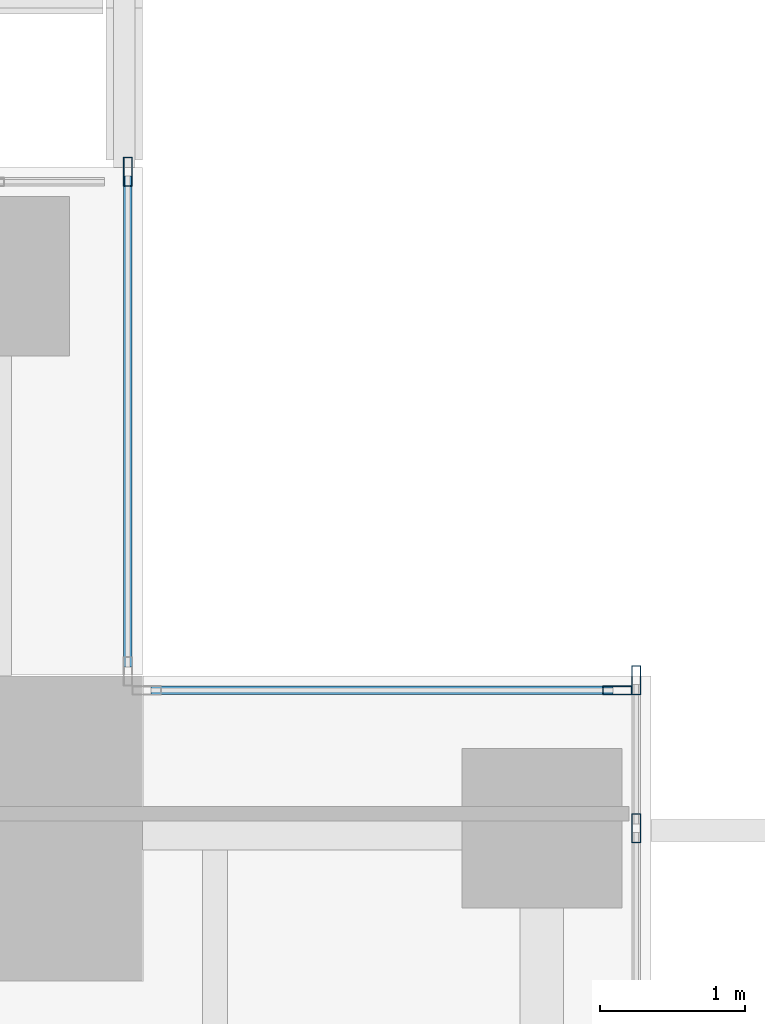
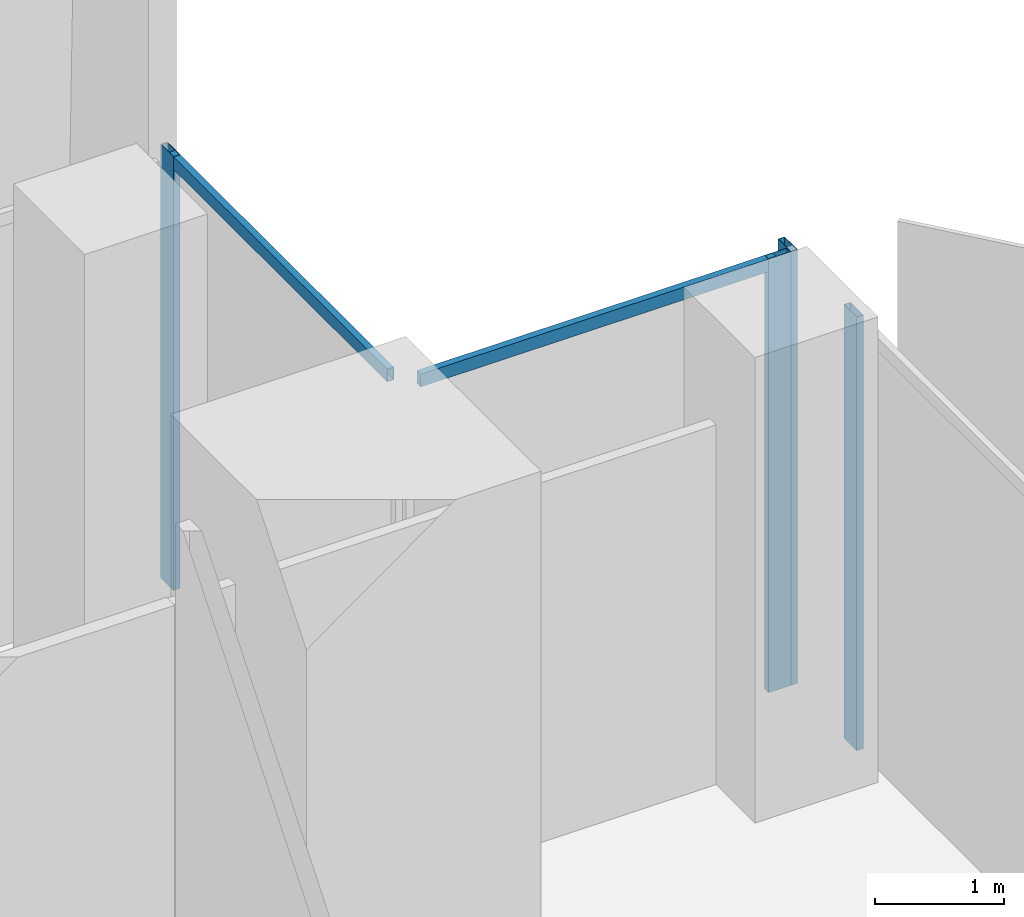
# One storey, part 21 of 34: 6 members, 3 elements without a shape of their own.
"""IFC4 building model written with IfcOpenShell, lengths in metres."""

import ifcopenshell
import ifcopenshell.guid

model = None  # the IFC model being written
_history = None  # IfcOwnerHistory: only IFC2X3 demands one
_inside = {}  # id of a spatial element -> (the spatial element, [elements in it])
_under = {}  # id of a project, library or spatial element -> (it, [spatial elements below it])
_declared = {}  # id of a project -> (the project, [libraries it declares])
_typed = {}  # id of a type object -> (the type object, [elements of that type])
_made_of = {}  # id of a material, layer set ... -> (it, [elements and type objects made of it])


def new_model(schema):
    """Start an empty IFC model of exactly this schema.

    Asked for "IFC4X3", IfcOpenShell would pick the latest addendum, in which some entities
    have other attributes; the version numbers below select the first issue.
    IFC2X3 requires an IfcOwnerHistory on every rooted entity: one is made here for all.
    """
    global model, _history
    if schema == "IFC4X3":
        model = ifcopenshell.file(schema_version=(4, 3, 0, 0))
    else:
        model = ifcopenshell.file(schema=schema)
    _inside.clear()
    _under.clear()
    _declared.clear()
    _typed.clear()
    _made_of.clear()
    _history = None
    if model.schema == "IFC2X3":
        org = make("IfcOrganization", Name="unknown")
        user = make(
            "IfcPersonAndOrganization",
            ThePerson=make("IfcPerson", FamilyName="unknown"),
            TheOrganization=org,
        )
        app = make(
            "IfcApplication",
            ApplicationDeveloper=org,
            Version="unknown",
            ApplicationFullName="unknown",
            ApplicationIdentifier="unknown",
        )
        _history = make(
            "IfcOwnerHistory",
            OwningUser=user,
            OwningApplication=app,
            ChangeAction="ADDED",
            CreationDate=0,
        )
    return model


def make(cls, **values):
    """One entity of the class cls with the attributes given. An attribute that is None is left unset."""
    return model.create_entity(
        cls, **{name: value for name, value in values.items() if value is not None}
    )


def rooted(cls, **values):
    """An entity with a GlobalId (a new one), such as an element, a storey or a relation."""
    return make(cls, GlobalId=ifcopenshell.guid.new(), OwnerHistory=_history, **values)


def si_unit(unit_type, name, prefix=None):
    """IfcSIUnit, for example si_unit("LENGTHUNIT", "METRE", prefix="MILLI")."""
    return make("IfcSIUnit", UnitType=unit_type, Prefix=prefix, Name=name)


def assignment(units):
    """IfcUnitAssignment: the units of a project."""
    return None if units is None else make("IfcUnitAssignment", Units=units)


def point(xyz):
    """IfcCartesianPoint."""
    return None if xyz is None else make("IfcCartesianPoint", Coordinates=xyz)


def direction(xyz):
    """IfcDirection."""
    return None if xyz is None else make("IfcDirection", DirectionRatios=xyz)


def frame(location, z_axis=None, x_axis=None):
    """IfcAxis2Placement3D, a coordinate frame: its origin and axes. An axis left out is left unset."""
    return make(
        "IfcAxis2Placement3D",
        Location=point(location),
        Axis=direction(z_axis),
        RefDirection=direction(x_axis),
    )


def frame_2d(location, x_axis=None):
    """IfcAxis2Placement2D, a coordinate frame in the plane: its origin and x axis."""
    return make(
        "IfcAxis2Placement2D", Location=point(location), RefDirection=direction(x_axis)
    )


def origin():
    """The frame at (0, 0, 0) with its axes left unset."""
    return frame((0.0, 0.0, 0.0))


def origin_2d():
    """The frame at (0, 0) in the plane with its x axis left unset."""
    return frame_2d((0.0, 0.0))


def place(relative_to, where):
    """IfcLocalPlacement: puts the frame where relative to a parent placement (None: the world)."""
    return make(
        "IfcLocalPlacement", PlacementRelTo=relative_to, RelativePlacement=where
    )


def context(
    kind, dimensions, precision=None, world=None, true_north=None, identifier=None
):
    """IfcGeometricRepresentationContext, for example the 3D "Model" context."""
    return make(
        "IfcGeometricRepresentationContext",
        ContextIdentifier=identifier,
        ContextType=kind,
        CoordinateSpaceDimension=dimensions,
        Precision=precision,
        WorldCoordinateSystem=world,
        TrueNorth=true_north,
    )


def subcontext(parent, identifier, kind, view, scale=None):
    """IfcGeometricRepresentationSubContext, for example "Body" below "Model"."""
    return make(
        "IfcGeometricRepresentationSubContext",
        ContextIdentifier=identifier,
        ContextType=kind,
        ParentContext=parent,
        TargetScale=scale,
        TargetView=view,
    )


def project(units=None, contexts=None):
    """IfcProject with its units and contexts."""
    return rooted(
        "IfcProject",
        Name="project",
        RepresentationContexts=contexts,
        UnitsInContext=assignment(units),
    )


def spatial(cls, under=None, at=None, **own):
    """A site, building, storey or space (cls), placed at a placement, below another one or the project."""
    s = rooted(cls, ObjectPlacement=at, **own)
    if under is not None:
        _under.setdefault(under.id(), (under, []))[1].append(s)
    return s


def profile(cls, at=None, kind="AREA", **sizes):
    """A parametric profile (cls). Its sizes go by their IFC names, for example OverallWidth=200.0."""
    return make(cls, ProfileType=kind, Position=at, **sizes)


def hollow_rectangle(**sizes):
    """IfcRectangleHollowProfileDef."""
    return profile("IfcRectangleHollowProfileDef", **sizes)


def extrude(swept, where, along, depth):
    """IfcExtrudedAreaSolid: the profile swept, set in the frame where, extruded along a direction by depth."""
    return make(
        "IfcExtrudedAreaSolid",
        SweptArea=swept,
        Position=where,
        ExtrudedDirection=direction(along),
        Depth=depth,
    )


def shape(context_of_items, identifier, shape_type, items):
    """IfcShapeRepresentation: the items that make up one representation, for example the "Body"."""
    return make(
        "IfcShapeRepresentation",
        ContextOfItems=context_of_items,
        RepresentationIdentifier=identifier,
        RepresentationType=shape_type,
        Items=items,
    )


def source(mapping_origin, context_of_items, identifier, shape_type, items):
    """IfcRepresentationMap: a shape defined once, which mapped items show again and again."""
    return make(
        "IfcRepresentationMap",
        MappingOrigin=mapping_origin,
        MappedRepresentation=shape(context_of_items, identifier, shape_type, items),
    )


def transform(
    local_origin,
    x_axis=None,
    y_axis=None,
    z_axis=None,
    scale=None,
    scale2=None,
    scale3=None,
    uniform=True,
):
    """IfcCartesianTransformationOperator3D, or its non-uniform kind. x_axis, y_axis, z_axis: its Axis1, 2, 3."""
    if uniform:
        return make(
            "IfcCartesianTransformationOperator3D",
            Axis1=direction(x_axis),
            Axis2=direction(y_axis),
            LocalOrigin=point(local_origin),
            Scale=scale,
            Axis3=direction(z_axis),
        )
    return make(
        "IfcCartesianTransformationOperator3DnonUniform",
        Axis1=direction(x_axis),
        Axis2=direction(y_axis),
        LocalOrigin=point(local_origin),
        Scale=scale,
        Axis3=direction(z_axis),
        Scale2=scale2,
        Scale3=scale3,
    )


def mapped(mapping_source, mapping_target):
    """IfcMappedItem: shows the shape of a source again, moved by a transform."""
    return make(
        "IfcMappedItem", MappingSource=mapping_source, MappingTarget=mapping_target
    )


def material(Name=None, Category=None):
    """IfcMaterial."""
    return make("IfcMaterial", Name=Name, Category=Category)


def material_profile(
    of_material, cross_section, Name=None, Category=None, Priority=None
):
    """IfcMaterialProfile: a cross section and its material."""
    return make(
        "IfcMaterialProfile",
        Name=Name,
        Material=of_material,
        Profile=cross_section,
        Priority=Priority,
        Category=Category,
    )


def profile_set(profiles, Name=None, composite=None):
    """IfcMaterialProfileSet."""
    return make(
        "IfcMaterialProfileSet",
        Name=Name,
        MaterialProfiles=profiles,
        CompositeProfile=composite,
    )


def made_of(thing, what):
    """Note that an element or type object is made of a material, layer set ...; save() writes the relation."""
    if what is not None:
        _made_of.setdefault(what.id(), (what, []))[1].append(thing)
    return thing


def type_object(cls, material=None, **own):
    """A type object (cls), such as IfcWallType, which elements share."""
    return made_of(rooted(cls, **own), material)


def element(
    cls,
    number,
    at=None,
    inside=None,
    cuts=None,
    type_object=None,
    material=None,
    context=None,
    identifier="Body",
    shape_type=None,
    held_by="IfcProductDefinitionShape",
    body=None,
    shapes=None,
    **own,
):
    """One element of the class cls, such as IfcWall. Its Tag is "e" and its number.

    at: its placement. inside: the storey or other place that contains it. cuts: it is an
    opening in that element (IfcRelVoidsElement). A single representation is given by context,
    identifier, shape_type and body (its items); several are given by shapes. held_by: the class
    of the entity that holds the representations. save() writes the other relations.
    """
    e = rooted(cls, Tag="e%d" % number, ObjectPlacement=at, **own)
    if body is not None:
        shapes = [shape(context, identifier, shape_type, body)]
    if shapes is not None:
        e.Representation = make(held_by, Representations=shapes)
    if inside is not None:
        _inside.setdefault(inside.id(), (inside, []))[1].append(e)
    if cuts is not None:
        rooted(
            "IfcRelVoidsElement", RelatingBuildingElement=cuts, RelatedOpeningElement=e
        )
    if type_object is not None:
        _typed.setdefault(type_object.id(), (type_object, []))[1].append(e)
    return made_of(e, material)


def aggregate(whole, parts):
    """IfcRelAggregates: a whole, such as a stair, and the parts it consists of."""
    return rooted("IfcRelAggregates", RelatingObject=whole, RelatedObjects=parts)


def save(model, path):
    """Write the relations noted so far, then the file.

    IfcRelAggregates (storeys below a building ...), IfcRelContainedInSpatialStructure (elements
    in a storey), IfcRelDefinesByType, IfcRelAssociatesMaterial and IfcRelDeclares: one each for
    every whole, place, type object, material and project.
    """
    for whole, parts in _under.values():
        aggregate(whole, parts)
    for where, things in _inside.values():
        rooted(
            "IfcRelContainedInSpatialStructure",
            RelatedElements=things,
            RelatingStructure=where,
        )
    for kind, things in _typed.values():
        rooted("IfcRelDefinesByType", RelatedObjects=things, RelatingType=kind)
    for what, things in _made_of.values():
        rooted("IfcRelAssociatesMaterial", RelatedObjects=things, RelatingMaterial=what)
    for by, libraries in _declared.values():
        rooted("IfcRelDeclares", RelatingContext=by, RelatedDefinitions=libraries)
    model.write(path)


model = new_model("IFC4")

# Units and contexts
model_context = context("Model", 3, precision=1e-05, world=origin(), true_north=direction((0.0, 1.0)))
body_context = subcontext(model_context, "Body", "Model", "MODEL_VIEW")
ifc_project = project(units=[si_unit("LENGTHUNIT", "METRE"), si_unit("AREAUNIT", "SQUARE_METRE"), si_unit("VOLUMEUNIT", "CUBIC_METRE"), si_unit("PLANEANGLEUNIT", "RADIAN"), si_unit("MASSUNIT", "GRAM", prefix="KILO")], contexts=[model_context])

# Site, building, storey
site_placement = place(None, origin())
site = spatial("IfcSite", under=ifc_project, at=site_placement, CompositionType="ELEMENT")
building_placement = place(site_placement, origin())
building = spatial("IfcBuilding", under=site, at=building_placement, Name="Khomas Fold Tower", CompositionType="ELEMENT")
storey_placement = place(building_placement, frame((0.0, 0.0, 154.300048828125)))
storey = spatial("IfcBuildingStorey", under=building, at=storey_placement, Name="L33", CompositionType="ELEMENT", Elevation=154.300048828125)

# Curtain wall, member
ifc_material_1 = material(Name="Aluminium framed double glazing", Category="aluminium")
curtain_wall_type = type_object("IfcCurtainWallType", Name="SK-Unitised clear-glass wall, growing floors CW1", PredefinedType="NOTDEFINED", material=ifc_material_1)
curtain_wall_1_placement = place(storey_placement, origin())
curtain_wall_1 = element("IfcCurtainWall", 1, at=curtain_wall_1_placement, inside=storey, type_object=curtain_wall_type, Name="CW1 corner return L33 04", PredefinedType="NOTDEFINED")
ifc_material_2 = material(Name="Aluminium", Category="aluminium")
ifc_material_profile_1 = material_profile(ifc_material_2, hollow_rectangle(XDim=0.06005859375, YDim=0.1201171875, WallThickness=0.00390625, at=origin_2d()), Name="SK-Unitised clear-glass wall, growing floors transom CW1-T")
ifc_profile_set_1 = profile_set([ifc_material_profile_1], Name="Aluminium")
member_type_1 = type_object("IfcMemberType", Name="SK-Unitised clear-glass wall, growing floors transom CW1-T", PredefinedType="USERDEFINED", material=ifc_profile_set_1)
shared_shape_1 = source(origin(), body_context, "Body", "SweptSolid", [
    extrude(hollow_rectangle(XDim=0.06005859375, YDim=0.1201171875, WallThickness=0.00390625, at=origin_2d()), origin(), (0.0, 0.0, 1.0), 3.179931640625),
])
member_1_placement = place(storey_placement, frame((52.239990234375, 48.89990234375, 4.0400390625), z_axis=(-1.0, 0.0, 0.0), x_axis=(0.0, -1.0, 0.0)))
member_1 = element("IfcMember", 2, at=member_1_placement, type_object=member_type_1, Name="CW1 transom 1", ObjectType="TRANSOM", PredefinedType="USERDEFINED", context=body_context, shape_type="MappedRepresentation", body=[
    mapped(shared_shape_1, transform((0.0, 0.0, 0.0))),
])

curtain_wall_2_placement = place(storey_placement, origin())
curtain_wall_2 = element("IfcCurtainWall", 3, at=curtain_wall_2_placement, inside=storey, type_object=curtain_wall_type, Name="CW1 corner return L33 05", PredefinedType="NOTDEFINED")
shared_shape_2 = source(origin(), body_context, "Body", "SweptSolid", [
    extrude(hollow_rectangle(XDim=0.06005859375, YDim=0.1201171875, WallThickness=0.00390625, at=origin_2d()), origin(), (0.0, 0.0, 1.0), 3.3798828125),
])
member_2_placement = place(storey_placement, frame((48.89990234375, 49.06005859375, 4.0400390625), z_axis=(0.0, 1.0, 0.0), x_axis=(-1.0, 0.0, 0.0)))
member_2 = element("IfcMember", 4, at=member_2_placement, type_object=member_type_1, Name="CW1 transom 1", ObjectType="TRANSOM", PredefinedType="USERDEFINED", context=body_context, shape_type="MappedRepresentation", body=[
    mapped(shared_shape_2, transform((0.0, 0.0, 0.0))),
])

# Curtain wall, members
curtain_wall_3_placement = place(storey_placement, origin())
curtain_wall_3 = element("IfcCurtainWall", 5, at=curtain_wall_3_placement, inside=storey, type_object=curtain_wall_type, Name="CW1 run L33 03-0", PredefinedType="NOTDEFINED")
ifc_material_3 = material(Name="Aluminium", Category="aluminium")
ifc_material_profile_2 = material_profile(ifc_material_3, hollow_rectangle(XDim=0.06005859375, YDim=0.199951171875, WallThickness=0.00390625, at=origin_2d()), Name="SK-Unitised clear-glass wall, growing floors mullion CW1-M")
ifc_profile_set_2 = profile_set([ifc_material_profile_2], Name="Aluminium")
member_type_2 = type_object("IfcMemberType", Name="SK-Unitised clear-glass wall, growing floors mullion CW1-M", PredefinedType="MULLION", material=ifc_profile_set_2)
shared_shape_3 = source(origin(), body_context, "Body", "SweptSolid", [
    extrude(hollow_rectangle(XDim=0.06005859375, YDim=0.199951171875, WallThickness=0.00390625, at=origin_2d()), origin(), (0.0, 0.0, 1.0), 4.099853515625),
])
member_3_placement = place(storey_placement, frame((52.39990234375, 47.949951171875, 0.0), z_axis=(0.0, 0.0, 1.0), x_axis=(-1.0, 0.0, 0.0)))
member_3 = element("IfcMember", 6, at=member_3_placement, type_object=member_type_2, Name="CW1 mullion 8", PredefinedType="MULLION", context=body_context, shape_type="MappedRepresentation", body=[
    mapped(shared_shape_3, transform((0.0, 0.0, 0.0))),
])
member_4_placement = place(storey_placement, frame((52.39990234375, 48.969970703125, 0.0), z_axis=(0.0, 0.0, 1.0), x_axis=(-1.0, 0.0, 0.0)))
member_4 = element("IfcMember", 7, at=member_4_placement, type_object=member_type_2, Name="CW1 mullion 9", PredefinedType="MULLION", context=body_context, shape_type="MappedRepresentation", body=[
    mapped(shared_shape_3, transform((0.0, 0.0, 0.0))),
])
aggregate(curtain_wall_3, [member_3, member_4])

# Member
member_5_placement = place(storey_placement, frame((52.27001953125, 48.89990234375, 0.0), z_axis=(0.0, 0.0, 1.0), x_axis=(0.0, -1.0, 0.0)))
member_5 = element("IfcMember", 8, at=member_5_placement, type_object=member_type_2, Name="CW1 mullion 1", PredefinedType="MULLION", context=body_context, shape_type="MappedRepresentation", body=[
    mapped(shared_shape_3, transform((0.0, 0.0, 0.0))),
])

aggregate(curtain_wall_1, [member_5, member_1])

member_6_placement = place(storey_placement, frame((48.89990234375, 52.469970703125, 0.0), z_axis=(0.0, 0.0, 1.0), x_axis=(-1.0, 0.0, 0.0)))
member_6 = element("IfcMember", 9, at=member_6_placement, type_object=member_type_2, Name="CW1 mullion 2", PredefinedType="MULLION", context=body_context, shape_type="MappedRepresentation", body=[
    mapped(shared_shape_3, transform((0.0, 0.0, 0.0))),
])

aggregate(curtain_wall_2, [member_6, member_2])

save(model, "model.ifc")
